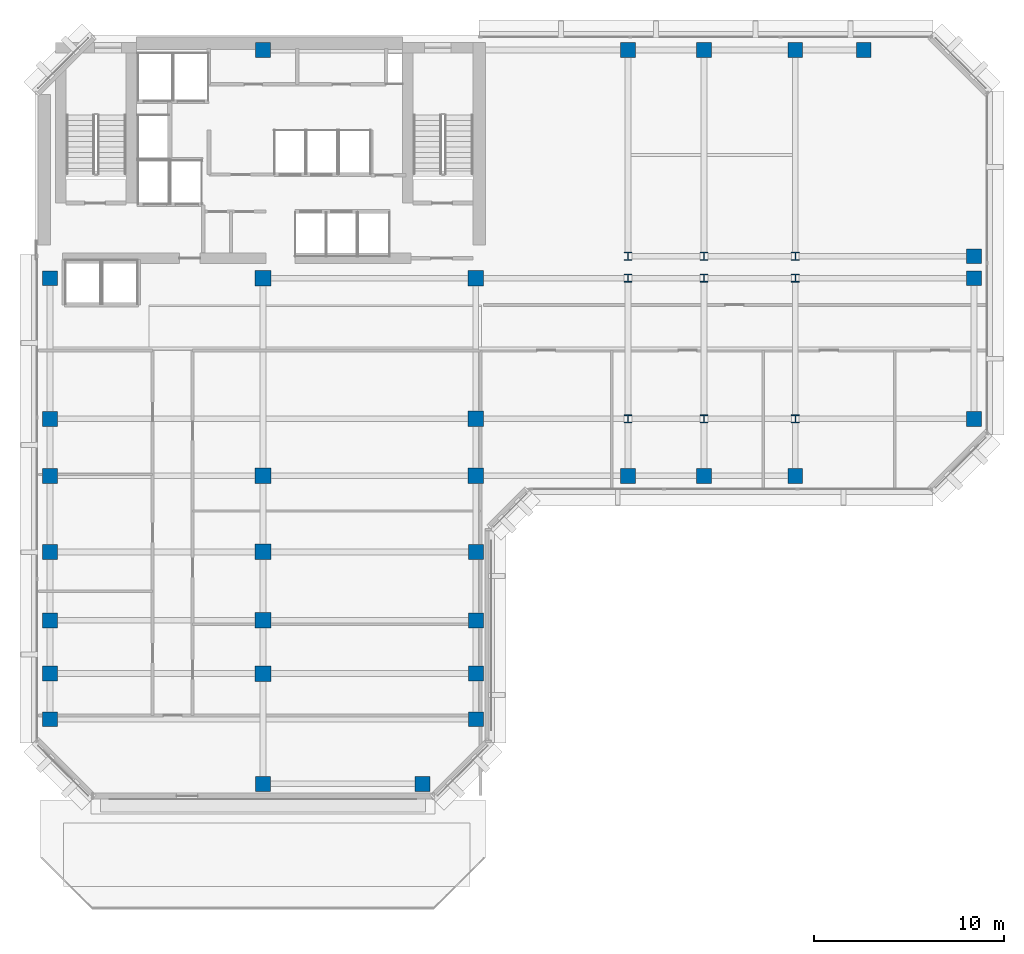
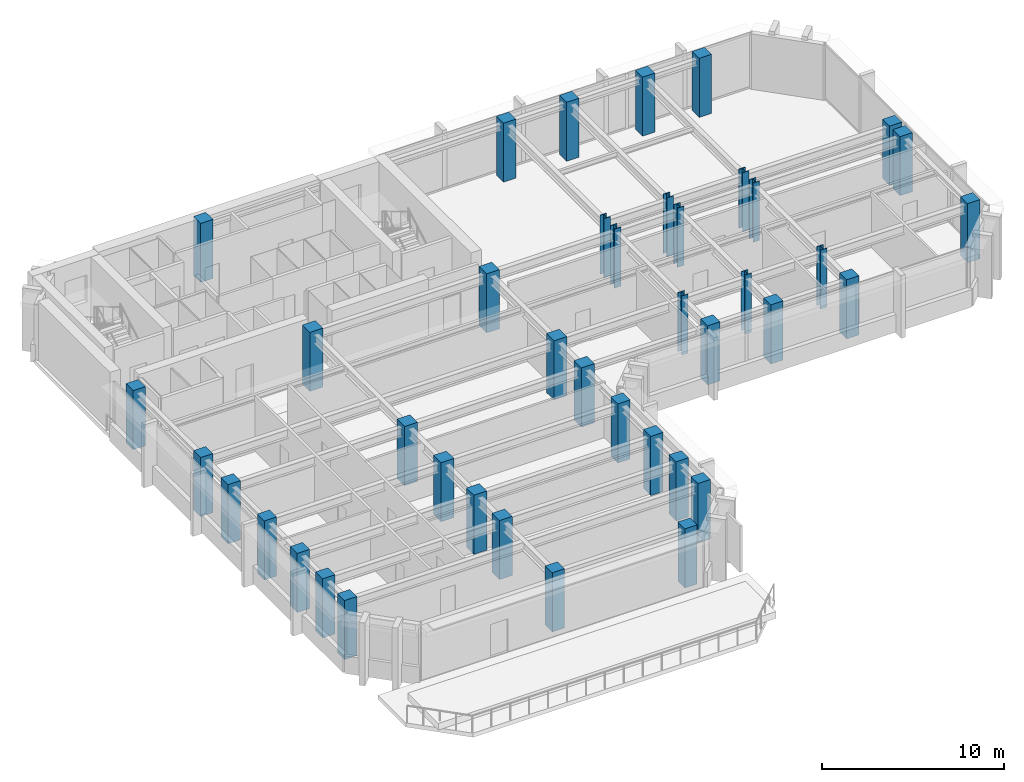
# One storey, part 1 of 11: 41 columns.
"""IFC4 building model written with IfcOpenShell, lengths in metres."""

from ifc_helpers import new_model, si_unit, direction, frame, origin, origin_2d, place, context, subcontext, project, spatial, rectangle, i_section, extrude, material, material_profile, profile_set, type_object, element, save


model = new_model("IFC4")

# Units and contexts
model_context = context("Model", 3, precision=1e-05, world=origin(), true_north=direction((0.0, 1.0)))
body_context = subcontext(model_context, "Body", "Model", "MODEL_VIEW")
ifc_project = project(units=[si_unit("LENGTHUNIT", "METRE"), si_unit("AREAUNIT", "SQUARE_METRE"), si_unit("VOLUMEUNIT", "CUBIC_METRE"), si_unit("PLANEANGLEUNIT", "RADIAN"), si_unit("MASSUNIT", "GRAM", prefix="KILO")], contexts=[model_context])

# Site, building, storey
site_placement = place(None, origin())
site = spatial("IfcSite", under=ifc_project, at=site_placement, CompositionType="ELEMENT")
building_placement = place(site_placement, origin())
building = spatial("IfcBuilding", under=site, at=building_placement, Name="Kefirva Bronze Tower", CompositionType="ELEMENT")
storey_placement = place(building_placement, frame((0.0, 0.0, 191.39990234375)))
storey = spatial("IfcBuildingStorey", under=building, at=storey_placement, Name="L46", CompositionType="ELEMENT", Elevation=191.39990234375)

# Columns
ifc_material_1 = material(Name="Concrete C50/60", Category="concrete")
ifc_material_profile_1 = material_profile(ifc_material_1, rectangle(XDim=0.780029296875, YDim=0.780029296875, at=origin_2d()), Name="RC 780x780")
ifc_profile_set_1 = profile_set([ifc_material_profile_1], Name="Concrete C50/60")
column_type_1 = type_object("IfcColumnType", Name="RC Column 780x780 Ext", PredefinedType="COLUMN", material=ifc_profile_set_1)
for number, where, z_axis, x_axis, name in (
    (1, (0.800048828125, 10.0, 0.0), (0.0, 0.0, 1.0), (1.0, 0.0, 0.0), "L46 Column C008_100"),
    (2, (0.800048828125, 12.39990234375, 0.0), (0.0, 0.0, 1.0), (1.0, 0.0, 0.0), "L46 Column C008_124"),
    (3, (0.800048828125, 15.199951171875, 0.0), (0.0, 0.0, 1.0), (1.0, 0.0, 0.0), "L46 Column C008_152"),
    (4, (0.800048828125, 18.800048828125, 0.0), (0.0, 0.0, 1.0), (1.0, 0.0, 0.0), "L46 Column C008_188"),
    (5, (0.800048828125, 22.800048828125, 0.0), (0.0, 0.0, 1.0), (1.0, 0.0, 0.0), "L46 Column C008_228"),
    (6, (0.800048828125, 25.800048828125, 0.0), (0.0, 0.0, 1.0), (1.0, 0.0, 0.0), "L46 Column C008_258"),
    (7, (0.800048828125, 33.199951171875, 0.0), (0.0, 0.0, 1.0), (1.0, 0.0, 0.0), "L46 Column C008_332"),
    (8, (12.0, 6.60009765625, 0.0), (0.0, 0.0, 1.0), (1.0, 0.0, 0.0), "L46 Column C120_066"),
    (9, (12.0, 45.199951171875, 0.0), (0.0, 0.0, 1.0), (1.0, 0.0, 0.0), "L46 Column C120_452"),
    (10, (20.39990234375, 6.60009765625, 0.0), (0.0, 0.0, 1.0), (1.0, 0.0, 0.0), "L46 Column C204_066"),
    (11, (23.199951171875, 10.0, 0.0), (0.0, 0.0, 1.0), (1.0, 0.0, 0.0), "L46 Column C232_100"),
    (12, (23.199951171875, 12.39990234375, 0.0), (0.0, 0.0, 1.0), (1.0, 0.0, 0.0), "L46 Column C232_124"),
    (13, (23.199951171875, 15.199951171875, 0.0), (0.0, 0.0, 1.0), (1.0, 0.0, 0.0), "L46 Column C232_152"),
    (14, (23.199951171875, 18.800048828125, 0.0), (0.0, 0.0, 1.0), (1.0, 0.0, 0.0), "L46 Column C232_188"),
    (15, (31.199951171875, 22.800048828125, 0.0), (0.0, 0.0, 1.0), (1.0, 0.0, 0.0), "L46 Column C312_228"),
    (16, (31.199951171875, 45.199951171875, 0.0), (0.0, 0.0, 1.0), (1.0, 0.0, 0.0), "L46 Column C312_452"),
    (17, (35.199951171875, 22.800048828125, 0.0), (0.0, 0.0, 1.0), (1.0, 0.0, 0.0), "L46 Column C352_228"),
    (18, (35.199951171875, 45.199951171875, 0.0), (0.0, 0.0, 1.0), (1.0, 0.0, 0.0), "L46 Column C352_452"),
    (19, (40.0, 22.800048828125, 0.0), (0.0, 0.0, 1.0), (1.0, 0.0, 0.0), "L46 Column C400_228"),
    (20, (40.0, 45.199951171875, 0.0), (0.0, 0.0, 1.0), (1.0, 0.0, 0.0), "L46 Column C400_452"),
    (21, (43.60009765625, 45.199951171875, 0.0), (0.0, 0.0, 1.0), (1.0, 0.0, 0.0), "L46 Column C436_452"),
    (22, (49.39990234375, 25.800048828125, 0.0), (0.0, 0.0, 1.0), (1.0, 0.0, 0.0), "L46 Column C494_258"),
    (23, (49.39990234375, 33.199951171875, 0.0), (0.0, 0.0, 1.0), (1.0, 0.0, 0.0), "L46 Column C494_332"),
    (24, (49.39990234375, 34.35009765625, 0.0), (0.0, 0.0, 1.0), (1.0, 0.0, 0.0), "L46 Column C494_344"),
):
    element("IfcColumn", number, at=place(storey_placement, frame(where, z_axis=z_axis, x_axis=x_axis)), inside=storey, type_object=column_type_1, Name=name, PredefinedType="COLUMN", context=body_context, shape_type="SweptSolid", body=[
        extrude(rectangle(XDim=0.780029296875, YDim=0.780029296875, at=origin_2d()), origin(), (0.0, 0.0, 1.0), 3.960205078125),
    ])
ifc_material_profile_2 = material_profile(ifc_material_1, rectangle(XDim=0.820068359375, YDim=0.820068359375, at=origin_2d()), Name="RC 820x820")
ifc_profile_set_2 = profile_set([ifc_material_profile_2], Name="Concrete C50/60")
column_type_2 = type_object("IfcColumnType", Name="RC Column 820x820 Int", PredefinedType="COLUMN", material=ifc_profile_set_2)
for number, where, z_axis, x_axis, name in (
    (25, (12.0, 12.39990234375, 0.0), (0.0, 0.0, 1.0), (1.0, 0.0, 0.0), "L46 Column C120_124"),
    (26, (12.0, 15.199951171875, 0.0), (0.0, 0.0, 1.0), (1.0, 0.0, 0.0), "L46 Column C120_152"),
    (27, (12.0, 18.800048828125, 0.0), (0.0, 0.0, 1.0), (1.0, 0.0, 0.0), "L46 Column C120_188"),
    (28, (12.0, 22.800048828125, 0.0), (0.0, 0.0, 1.0), (1.0, 0.0, 0.0), "L46 Column C120_228"),
    (29, (12.0, 33.199951171875, 0.0), (0.0, 0.0, 1.0), (1.0, 0.0, 0.0), "L46 Column C120_332"),
    (30, (23.199951171875, 22.800048828125, 0.0), (0.0, 0.0, 1.0), (1.0, 0.0, 0.0), "L46 Column C232_228"),
    (31, (23.199951171875, 25.800048828125, 0.0), (0.0, 0.0, 1.0), (1.0, 0.0, 0.0), "L46 Column C232_258"),
    (32, (23.199951171875, 33.199951171875, 0.0), (0.0, 0.0, 1.0), (1.0, 0.0, 0.0), "L46 Column C232_332"),
):
    element("IfcColumn", number, at=place(storey_placement, frame(where, z_axis=z_axis, x_axis=x_axis)), inside=storey, type_object=column_type_2, Name=name, PredefinedType="COLUMN", context=body_context, shape_type="SweptSolid", body=[
        extrude(rectangle(XDim=0.820068359375, YDim=0.820068359375, at=origin_2d()), origin(), (0.0, 0.0, 1.0), 3.960205078125),
    ])
ifc_material_2 = material(Name="Steel S460", Category="steel")
ifc_material_profile_3 = material_profile(ifc_material_2, i_section(OverallWidth=0.412109375, OverallDepth=0.43505859375, WebThickness=0.027099609375, FlangeThickness=0.04296875, at=origin_2d()), Name="HD 400x463")
ifc_profile_set_3 = profile_set([ifc_material_profile_3], Name="Steel S460")
column_type_3 = type_object("IfcColumnType", Name="Steel Column HD 400x463", PredefinedType="COLUMN", material=ifc_profile_set_3)
for number, where, z_axis, x_axis, name in (
    (33, (31.199951171875, 25.800048828125, 0.0), (0.0, 0.0, 1.0), (1.0, 0.0, 0.0), "L46 Column C312_258"),
    (34, (31.199951171875, 33.199951171875, 0.0), (0.0, 0.0, 1.0), (1.0, 0.0, 0.0), "L46 Column C312_332"),
    (35, (31.199951171875, 34.35009765625, 0.0), (0.0, 0.0, 1.0), (1.0, 0.0, 0.0), "L46 Column C312_344"),
    (36, (35.199951171875, 25.800048828125, 0.0), (0.0, 0.0, 1.0), (1.0, 0.0, 0.0), "L46 Column C352_258"),
    (37, (35.199951171875, 33.199951171875, 0.0), (0.0, 0.0, 1.0), (1.0, 0.0, 0.0), "L46 Column C352_332"),
    (38, (35.199951171875, 34.35009765625, 0.0), (0.0, 0.0, 1.0), (1.0, 0.0, 0.0), "L46 Column C352_344"),
    (39, (40.0, 25.800048828125, 0.0), (0.0, 0.0, 1.0), (1.0, 0.0, 0.0), "L46 Column C400_258"),
    (40, (40.0, 33.199951171875, 0.0), (0.0, 0.0, 1.0), (1.0, 0.0, 0.0), "L46 Column C400_332"),
    (41, (40.0, 34.35009765625, 0.0), (0.0, 0.0, 1.0), (1.0, 0.0, 0.0), "L46 Column C400_344"),
):
    element("IfcColumn", number, at=place(storey_placement, frame(where, z_axis=z_axis, x_axis=x_axis)), inside=storey, type_object=column_type_3, Name=name, PredefinedType="COLUMN", context=body_context, shape_type="SweptSolid", body=[
        extrude(i_section(OverallWidth=0.412109375, OverallDepth=0.43505859375, WebThickness=0.027099609375, FlangeThickness=0.04296875, at=origin_2d()), origin(), (0.0, 0.0, 1.0), 3.960205078125),
    ])

save(model, "model.ifc")
